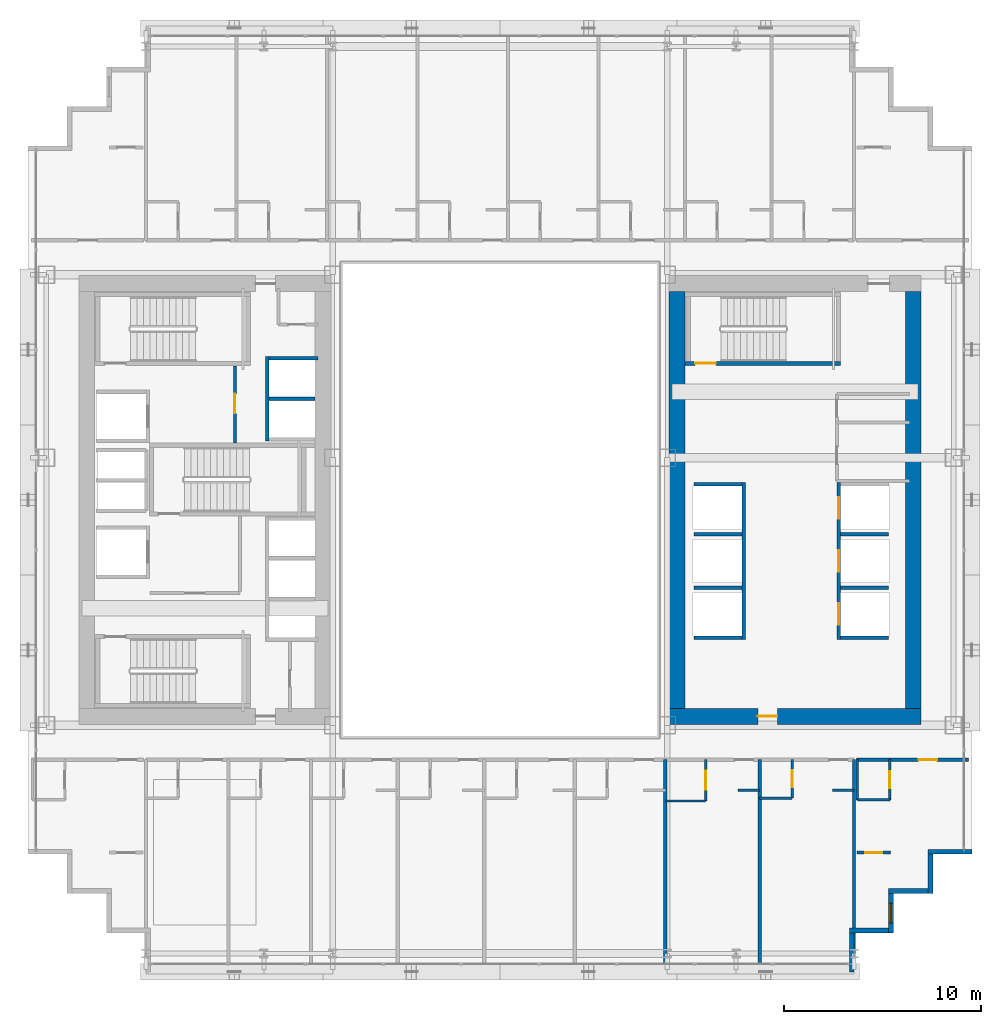
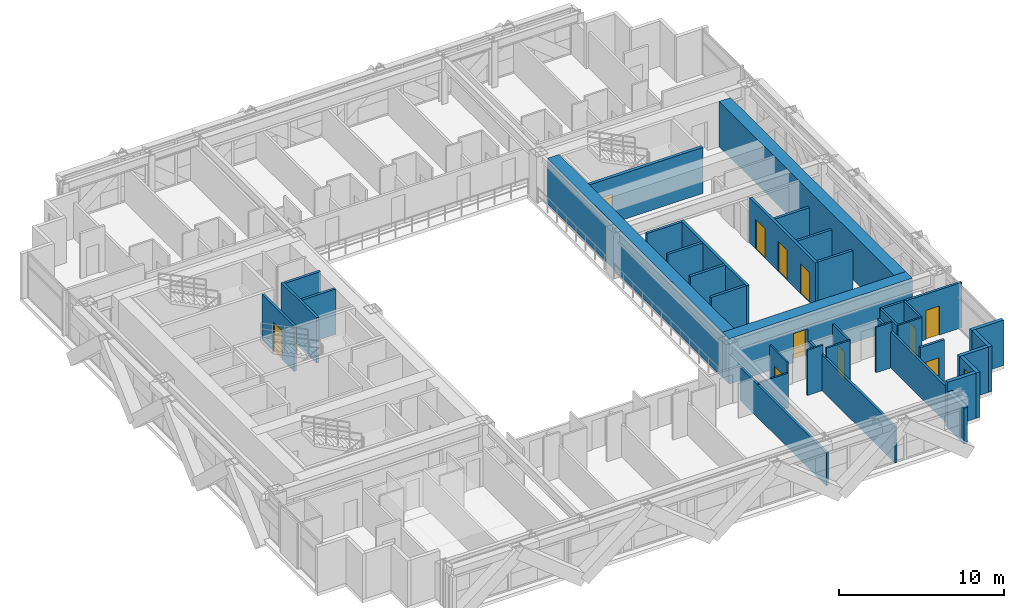
# One storey, part 29 of 36: 37 walls, 11 doors, 1 window, 12 openings.
"""IFC4 building model written with IfcOpenShell, lengths in metres."""

from ifc_helpers import new_model, si_unit, direction, frame, frame_2d, origin, place, context, subcontext, project, spatial, rectangle, extrude, source, transform, mapped, material, layer, layer_set, type_object, element, fill, save


model = new_model("IFC4")

# Units and contexts
model_context = context("Model", 3, precision=1e-05, world=origin(), true_north=direction((0.0, 1.0)))
body_context = subcontext(model_context, "Body", "Model", "MODEL_VIEW")
ifc_project = project(units=[si_unit("LENGTHUNIT", "METRE"), si_unit("AREAUNIT", "SQUARE_METRE"), si_unit("VOLUMEUNIT", "CUBIC_METRE"), si_unit("PLANEANGLEUNIT", "RADIAN"), si_unit("MASSUNIT", "GRAM", prefix="KILO")], contexts=[model_context])

# Site, building, storey
site_placement = place(None, origin())
site = spatial("IfcSite", under=ifc_project, at=site_placement, CompositionType="ELEMENT")
building_placement = place(site_placement, origin())
building = spatial("IfcBuilding", under=site, at=building_placement, Name="Ocotamira Hotel", CompositionType="ELEMENT")
storey_placement = place(building_placement, frame((0.0, 0.0, 42.0)))
storey = spatial("IfcBuildingStorey", under=building, at=storey_placement, Name="L09", CompositionType="ELEMENT", Elevation=42.0)

# Wall, opening, door
ifc_material_1 = material(Name="Concrete C60/75", Category="concrete")
ifc_layer_1 = layer(ifc_material_1, 0.800048828125)
ifc_layer_set_1 = layer_set([ifc_layer_1], Name="Concrete C60/75")
wall_type_1 = type_object("IfcWallType", Name="WL-CORE-800", PredefinedType="SHEAR", material=ifc_layer_set_1)
wall_1_placement = place(storey_placement, frame((40.60009765625, 15.0, 0.0), z_axis=(0.0, 0.0, 1.0), x_axis=(1.0, 0.0, 0.0)))
wall_1 = element("IfcWall", 1, at=wall_1_placement, inside=storey, type_object=wall_type_1, Name="L09 Shear Core Wall ECORE-S", PredefinedType="SHEAR", context=body_context, shape_type="SweptSolid", body=[
    extrude(rectangle(XDim=12.7998046875, YDim=0.800048828125, at=frame_2d((6.39990234375, 0.0))), origin(), (0.0, 0.0, 1.0), 3.35009765625),
])
opening_1_placement = place(wall_1_placement, frame((4.5, 0.0, 0.0)))
opening_1 = element("IfcOpeningElement", 2, at=opening_1_placement, cuts=wall_1, Name="Opening D-FR2", PredefinedType="OPENING", context=body_context, shape_type="SweptSolid", body=[
    extrude(rectangle(XDim=1.0, YDim=2.14990234375, at=frame_2d((0.5, 1.074951171875))), frame((0.0, 0.41015625, 0.0), z_axis=(0.0, -1.0, 0.0), x_axis=(1.0, 0.0, 0.0)), (0.0, 0.0, 1.0), 0.820068359375),
])
ifc_material_2 = material(Name="Fire-rated acoustic timber-veneer door", Category="wood")
door_type_1 = type_object("IfcDoorType", Name="DR-FIRE-1000", OperationType="NOTDEFINED", PredefinedType="DOOR", material=ifc_material_2)
shared_shape_1 = source(origin(), body_context, "Body", "SweptSolid", [
    extrude(rectangle(XDim=1.0, YDim=2.14990234375, at=frame_2d((0.5, 1.074951171875))), frame((0.0, 0.02490234375, 0.0), z_axis=(0.0, -1.0, 0.0), x_axis=(1.0, 0.0, 0.0)), (0.0, 0.0, 1.0), 0.050048828125),
])
door_1_placement = place(opening_1_placement, origin())
door_1 = element("IfcDoor", 3, at=door_1_placement, inside=storey, type_object=door_type_1, Name="L09 Door ID-L09-ELOB-S-D [ID-L09-ELOB-S-D]", OperationType="SINGLE_SWING_RIGHT", OverallHeight=2.14990234375, OverallWidth=1.0, PredefinedType="DOOR", context=body_context, shape_type="MappedRepresentation", body=[
    mapped(shared_shape_1, transform((0.0, 0.0, 0.0), scale=1.0)),
])
fill(opening_1, door_1)

# Walls
for number, where, z_axis, x_axis, name in (
    (4, (41.0, 15.39990234375, 0.0), (0.0, 0.0, 1.0), (0.0, 1.0, 0.0), "L09 Shear Core Wall ECORE-W"),
    (5, (53.0, 15.39990234375, 0.0), (0.0, 0.0, 1.0), (0.0, 1.0, 0.0), "L09 Shear Core Wall ECORE-E"),
):
    element("IfcWall", number, at=place(storey_placement, frame(where, z_axis=z_axis, x_axis=x_axis)), inside=storey, type_object=wall_type_1, Name=name, PredefinedType="SHEAR", context=body_context, shape_type="SweptSolid", body=[
        extrude(rectangle(XDim=21.2001953125, YDim=0.800048828125, at=frame_2d((10.60009765625, 0.0))), origin(), (0.0, 0.0, 1.0), 3.35009765625),
    ])
ifc_material_3 = material(Name="Precast concrete C45/55", Category="concrete")
ifc_layer_2 = layer(ifc_material_3, 0.25)
ifc_layer_set_2 = layer_set([ifc_layer_2], Name="Precast concrete C45/55")
wall_type_2 = type_object("IfcWallType", Name="WL-EXT-SER-250", PredefinedType="SOLIDWALL", material=ifc_layer_set_2)
wall_2_placement = place(storey_placement, frame((49.875, 2.0, 0.0), z_axis=(0.0, 0.0, 1.0), x_axis=(0.0, 1.0, 0.0)))
element("IfcWall", 6, at=wall_2_placement, inside=storey, type_object=wall_type_2, Name="L09 Serrated Corner Wall 01", PredefinedType="SOLIDWALL", context=body_context, shape_type="SweptSolid", body=[
    extrude(rectangle(XDim=2.0, YDim=0.25, at=frame_2d((1.0, 0.0))), origin(), (0.0, 0.0, 1.0), 2.656982421875),
])
wall_3_placement = place(storey_placement, frame((49.75, 4.125, 0.0), z_axis=(0.0, 0.0, 1.0), x_axis=(1.0, 0.0, 0.0)))
element("IfcWall", 7, at=wall_3_placement, inside=storey, type_object=wall_type_2, Name="L09 Serrated Corner Wall 02", PredefinedType="SOLIDWALL", context=body_context, shape_type="SweptSolid", body=[
    extrude(rectangle(XDim=2.0, YDim=0.25, at=frame_2d((1.0, 0.0))), origin(), (0.0, 0.0, 1.0), 3.35009765625),
])

# Wall, opening, window
wall_4_placement = place(storey_placement, frame((51.875, 4.0, 0.0), z_axis=(0.0, 0.0, 1.0), x_axis=(0.0, 1.0, 0.0)))
wall_4 = element("IfcWall", 8, at=wall_4_placement, inside=storey, type_object=wall_type_2, Name="L09 Serrated Corner Wall 03", PredefinedType="SOLIDWALL", context=body_context, shape_type="SweptSolid", body=[
    extrude(rectangle(XDim=2.0, YDim=0.25, at=frame_2d((1.0, 0.0))), origin(), (0.0, 0.0, 1.0), 3.35009765625),
])
opening_2_placement = place(wall_4_placement, frame((0.5, 0.0, 0.85009765625)))
opening_2 = element("IfcOpeningElement", 9, at=opening_2_placement, cuts=wall_4, Name="Opening WN-2", PredefinedType="OPENING", context=body_context, shape_type="SweptSolid", body=[
    extrude(rectangle(XDim=1.0, YDim=1.89990234375, at=frame_2d((0.5, 0.949951171875))), frame((0.0, 0.135009765625, 0.0), z_axis=(0.0, -1.0, 0.0), x_axis=(1.0, 0.0, 0.0)), (0.0, 0.0, 1.0), 0.27001953125),
])
ifc_material_4 = material(Name="Double-silver low-E solar glass", Category="glass")
window_type = type_object("IfcWindowType", Name="WIN-SER-1100", PartitioningType="SINGLE_PANEL", PredefinedType="WINDOW", material=ifc_material_4)
shared_shape_2 = source(origin(), body_context, "Body", "SweptSolid", [
    extrude(rectangle(XDim=1.0, YDim=1.89990234375, at=frame_2d((0.5, 0.949951171875))), frame((0.0, 0.030029296875, 0.0), z_axis=(0.0, -1.0, 0.0), x_axis=(1.0, 0.0, 0.0)), (0.0, 0.0, 1.0), 0.06005859375),
])
window_placement = place(opening_2_placement, origin())
window = element("IfcWindow", 10, at=window_placement, inside=storey, type_object=window_type, Name="L09 Serrated Corner Window 03", OverallHeight=1.89990234375, OverallWidth=1.0, PartitioningType="SINGLE_PANEL", PredefinedType="WINDOW", context=body_context, shape_type="MappedRepresentation", body=[
    mapped(shared_shape_2, transform((0.0, 0.0, 0.0), scale=1.0)),
])
fill(opening_2, window)

# Walls
for number, where, z_axis, x_axis, name in (
    (11, (51.75, 6.125, 0.0), (0.0, 0.0, 1.0), (1.0, 0.0, 0.0), "L09 Serrated Corner Wall 04"),
    (12, (53.875, 6.0, 0.0), (0.0, 0.0, 1.0), (0.0, 1.0, 0.0), "L09 Serrated Corner Wall 05"),
):
    element("IfcWall", number, at=place(storey_placement, frame(where, z_axis=z_axis, x_axis=x_axis)), inside=storey, type_object=wall_type_2, Name=name, PredefinedType="SOLIDWALL", context=body_context, shape_type="SweptSolid", body=[
        extrude(rectangle(XDim=2.0, YDim=0.25, at=frame_2d((1.0, 0.0))), origin(), (0.0, 0.0, 1.0), 3.35009765625),
    ])
wall_5_placement = place(storey_placement, frame((53.75, 8.125, 0.0), z_axis=(0.0, 0.0, 1.0), x_axis=(1.0, 0.0, 0.0)))
element("IfcWall", 13, at=wall_5_placement, inside=storey, type_object=wall_type_2, Name="L09 Serrated Corner Wall 06", PredefinedType="SOLIDWALL", context=body_context, shape_type="SweptSolid", body=[
    extrude(rectangle(XDim=2.25, YDim=0.25, at=frame_2d((1.125, 0.0))), origin(), (0.0, 0.0, 1.0), 3.35009765625),
])

# Wall, opening, door
ifc_material_5 = material(Name="Acoustic double-layer fire gypsum board partition", Category="gypsum")
ifc_layer_3 = layer(ifc_material_5, 0.159912109375)
ifc_layer_set_3 = layer_set([ifc_layer_3], Name="Acoustic double-layer fire gypsum board partition")
wall_type_3 = type_object("IfcWallType", Name="WL-FIRE-160", PredefinedType="PARTITIONING", material=ifc_layer_set_3)
wall_6_placement = place(storey_placement, frame((18.530029296875, 28.89990234375, 0.0), z_axis=(0.0, 0.0, 1.0), x_axis=(0.0, 1.0, 0.0)))
wall_6 = element("IfcWall", 14, at=wall_6_placement, inside=storey, type_object=wall_type_3, Name="L09 Interior Wall PW-L09-FSAE2-E", PredefinedType="PARTITIONING", context=body_context, shape_type="SweptSolid", body=[
    extrude(rectangle(XDim=3.900146484375, YDim=0.159912109375, at=frame_2d((1.9501953125, 0.0))), origin(), (0.0, 0.0, 1.0), 3.35009765625),
])
opening_3_placement = place(wall_6_placement, frame((1.5, 0.0, 0.0)))
opening_3 = element("IfcOpeningElement", 15, at=opening_3_placement, cuts=wall_6, Name="Opening D-FR2", PredefinedType="OPENING", context=body_context, shape_type="SweptSolid", body=[
    extrude(rectangle(XDim=1.0, YDim=2.14990234375, at=frame_2d((0.5, 1.074951171875))), frame((0.0, 0.08984375, 0.0), z_axis=(0.0, -1.0, 0.0), x_axis=(1.0, 0.0, 0.0)), (0.0, 0.0, 1.0), 0.179931640625),
])
door_2_placement = place(opening_3_placement, origin())
door_2 = element("IfcDoor", 16, at=door_2_placement, inside=storey, type_object=door_type_1, Name="L09 Door ID-L09-FSAE2-D [ID-L09-FSAE2-D]", OperationType="SINGLE_SWING_RIGHT", OverallHeight=2.14990234375, OverallWidth=1.0, PredefinedType="DOOR", context=body_context, shape_type="MappedRepresentation", body=[
    mapped(shared_shape_1, transform((0.0, 0.0, 0.0), scale=1.0)),
])
fill(opening_3, door_2)

wall_7_placement = place(storey_placement, frame((50.1201171875, 12.800048828125, 0.0), z_axis=(0.0, 0.0, 1.0), x_axis=(1.0, 0.0, 0.0)))
wall_7 = element("IfcWall", 17, at=wall_7_placement, inside=storey, type_object=wall_type_3, Name="L09 Interior Wall PW-L09-Z1A-CSE-CW", PredefinedType="PARTITIONING", context=body_context, shape_type="SweptSolid", body=[
    extrude(rectangle(XDim=5.679931640625, YDim=0.159912109375, at=frame_2d((2.83984375, 0.0))), origin(), (0.0, 0.0, 1.0), 3.35009765625),
])
opening_4_placement = place(wall_7_placement, frame((3.14990234375, 0.0, 0.0)))
opening_4 = element("IfcOpeningElement", 18, at=opening_4_placement, cuts=wall_7, Name="Opening D-GR1", PredefinedType="OPENING", context=body_context, shape_type="SweptSolid", body=[
    extrude(rectangle(XDim=0.93994140625, YDim=2.14990234375, at=frame_2d((0.469970703125, 1.074951171875))), frame((0.0, 0.08984375, 0.0), z_axis=(0.0, -1.0, 0.0), x_axis=(1.0, 0.0, 0.0)), (0.0, 0.0, 1.0), 0.179931640625),
])
ifc_material_6 = material(Name="Solid-core walnut suite entrance fire door", Category="wood")
door_type_2 = type_object("IfcDoorType", Name="DR-GUEST-940", OperationType="NOTDEFINED", PredefinedType="DOOR", material=ifc_material_6)
shared_shape_3 = source(origin(), body_context, "Body", "SweptSolid", [
    extrude(rectangle(XDim=0.93994140625, YDim=2.14990234375, at=frame_2d((0.469970703125, 1.074951171875))), frame((0.0, 0.02490234375, 0.0), z_axis=(0.0, -1.0, 0.0), x_axis=(1.0, 0.0, 0.0)), (0.0, 0.0, 1.0), 0.050048828125),
])
door_3_placement = place(opening_4_placement, origin())
door_3 = element("IfcDoor", 19, at=door_3_placement, inside=storey, type_object=door_type_2, Name="L09 Door ID-L09-Z1A-CSE-CD [ID-L09-Z1A-CSE-CD]", OperationType="SINGLE_SWING_RIGHT", OverallHeight=2.14990234375, OverallWidth=0.93994140625, PredefinedType="DOOR", context=body_context, shape_type="MappedRepresentation", body=[
    mapped(shared_shape_3, transform((0.0, 0.0, 0.0), scale=1.0)),
])
fill(opening_4, door_3)

wall_8_placement = place(storey_placement, frame((50.14990234375, 8.080078125, 0.0), z_axis=(0.0, 0.0, 1.0), x_axis=(1.0, 0.0, 0.0)))
wall_8 = element("IfcWall", 20, at=wall_8_placement, inside=storey, type_object=wall_type_3, Name="L09 Interior Wall PW-L09-Z1A-CSE2-CW", PredefinedType="PARTITIONING", context=body_context, shape_type="SweptSolid", body=[
    extrude(rectangle(XDim=1.7001953125, YDim=0.159912109375, at=frame_2d((0.85009765625, 0.0))), origin(), (0.0, 0.0, 1.0), 3.35009765625),
])
opening_5_placement = place(wall_8_placement, frame((0.409912109375, 0.0, 0.0)))
opening_5 = element("IfcOpeningElement", 21, at=opening_5_placement, cuts=wall_8, Name="Opening D-SV2", PredefinedType="OPENING", context=body_context, shape_type="SweptSolid", body=[
    extrude(rectangle(XDim=0.8798828125, YDim=2.14990234375, at=frame_2d((0.43994140625, 1.074951171875))), frame((0.0, 0.08984375, 0.0), z_axis=(0.0, -1.0, 0.0), x_axis=(1.0, 0.0, 0.0)), (0.0, 0.0, 1.0), 0.179931640625),
])
ifc_material_7 = material(Name="Fire-rated painted steel service door", Category="steel")
door_type_3 = type_object("IfcDoorType", Name="DR-SERV-880", OperationType="NOTDEFINED", PredefinedType="DOOR", material=ifc_material_7)
shared_shape_4 = source(origin(), body_context, "Body", "SweptSolid", [
    extrude(rectangle(XDim=0.8798828125, YDim=2.14990234375, at=frame_2d((0.43994140625, 1.074951171875))), frame((0.0, 0.02490234375, 0.0), z_axis=(0.0, -1.0, 0.0), x_axis=(1.0, 0.0, 0.0)), (0.0, 0.0, 1.0), 0.050048828125),
])
door_4_placement = place(opening_5_placement, origin())
door_4 = element("IfcDoor", 22, at=door_4_placement, inside=storey, type_object=door_type_3, Name="L09 Door ID-L09-Z1A-CSE2-CD [ID-L09-Z1A-CSE2-CD]", OperationType="SINGLE_SWING_LEFT", OverallHeight=2.14990234375, OverallWidth=0.8798828125, PredefinedType="DOOR", context=body_context, shape_type="MappedRepresentation", body=[
    mapped(shared_shape_4, transform((0.0, 0.0, 0.0), scale=1.0)),
])
fill(opening_5, door_4)

ifc_material_8 = material(Name="Moisture-resistant en-suite tile and gypsum partition", Category="gypsum")
ifc_layer_4 = layer(ifc_material_8, 0.1201171875)
ifc_layer_set_4 = layer_set([ifc_layer_4], Name="Moisture-resistant en-suite tile and gypsum partition")
wall_type_4 = type_object("IfcWallType", Name="WL-PART-120", PredefinedType="PARTITIONING", material=ifc_layer_set_4)
wall_9_placement = place(storey_placement, frame((51.81005859375, 10.760009765625, 0.0), z_axis=(0.0, 0.0, 1.0), x_axis=(0.0, 1.0, 0.0)))
wall_9 = element("IfcWall", 23, at=wall_9_placement, inside=storey, type_object=wall_type_4, Name="L09 Interior Wall PW-L09-Z1A-CSE-BE", PredefinedType="PARTITIONING", context=body_context, shape_type="SweptSolid", body=[
    extrude(rectangle(XDim=2.0400390625, YDim=0.1201171875, at=frame_2d((1.02001953125, 0.0))), origin(), (0.0, 0.0, 1.0), 3.35009765625),
])
opening_6_placement = place(wall_9_placement, frame((0.590087890625, 0.0, 0.0)))
opening_6 = element("IfcOpeningElement", 24, at=opening_6_placement, cuts=wall_9, Name="Opening D-BA1", PredefinedType="OPENING", context=body_context, shape_type="SweptSolid", body=[
    extrude(rectangle(XDim=0.860107421875, YDim=2.10009765625, at=frame_2d((0.43017578125, 1.050048828125))), frame((0.0, 0.070068359375, 0.0), z_axis=(0.0, -1.0, 0.0), x_axis=(1.0, 0.0, 0.0)), (0.0, 0.0, 1.0), 0.14013671875),
])
ifc_material_9 = material(Name="Moisture-sealed en-suite timber door", Category="wood")
door_type_4 = type_object("IfcDoorType", Name="DR-BATH-860", OperationType="NOTDEFINED", PredefinedType="DOOR", material=ifc_material_9)
shared_shape_5 = source(origin(), body_context, "Body", "SweptSolid", [
    extrude(rectangle(XDim=0.860107421875, YDim=2.10009765625, at=frame_2d((0.43017578125, 1.050048828125))), frame((0.0, 0.02490234375, 0.0), z_axis=(0.0, -1.0, 0.0), x_axis=(1.0, 0.0, 0.0)), (0.0, 0.0, 1.0), 0.050048828125),
])
door_5_placement = place(opening_6_placement, origin())
door_5 = element("IfcDoor", 25, at=door_5_placement, inside=storey, type_object=door_type_4, Name="L09 Door ID-L09-Z1A-CSE-BD [ID-L09-Z1A-CSE-BD]", OperationType="SINGLE_SWING_LEFT", OverallHeight=2.10009765625, OverallWidth=0.860107421875, PredefinedType="DOOR", context=body_context, shape_type="MappedRepresentation", body=[
    mapped(shared_shape_5, transform((0.0, 0.0, 0.0), scale=1.0)),
])
fill(opening_6, door_5)

# Walls
wall_10_placement = place(storey_placement, frame((50.159912109375, 10.760009765625, 0.0), z_axis=(0.0, 0.0, 1.0), x_axis=(0.0, 1.0, 0.0)))
element("IfcWall", 26, at=wall_10_placement, inside=storey, type_object=wall_type_4, Name="L09 Interior Wall PW-L09-Z1A-CSE-BW", PredefinedType="PARTITIONING", context=body_context, shape_type="SweptSolid", body=[
    extrude(rectangle(XDim=2.0400390625, YDim=0.1201171875, at=frame_2d((1.02001953125, 0.0))), origin(), (0.0, 0.0, 1.0), 3.35009765625),
])
wall_11_placement = place(storey_placement, frame((50.159912109375, 10.760009765625, 0.0), z_axis=(0.0, 0.0, 1.0), x_axis=(1.0, 0.0, 0.0)))
element("IfcWall", 27, at=wall_11_placement, inside=storey, type_object=wall_type_4, Name="L09 Interior Wall PW-L09-Z1A-CSE-BH", PredefinedType="PARTITIONING", context=body_context, shape_type="SweptSolid", body=[
    extrude(rectangle(XDim=1.650146484375, YDim=0.1201171875, at=frame_2d((0.8251953125, 0.0))), origin(), (0.0, 0.0, 1.0), 3.35009765625),
])

# Wall, opening, door
wall_12_placement = place(storey_placement, frame((42.449951171875, 10.699951171875, 0.0), z_axis=(0.0, 0.0, 1.0), x_axis=(0.0, 1.0, 0.0)))
wall_12 = element("IfcWall", 28, at=wall_12_placement, inside=storey, type_object=wall_type_4, Name="L09 Interior Wall PW-L09-Z1AS-BAE7", PredefinedType="PARTITIONING", context=body_context, shape_type="SweptSolid", body=[
    extrude(rectangle(XDim=2.10009765625, YDim=0.1201171875, at=frame_2d((1.050048828125, 0.0))), origin(), (0.0, 0.0, 1.0), 3.35009765625),
])
opening_7_placement = place(wall_12_placement, frame((0.570068359375, 0.0, 0.0)))
opening_7 = element("IfcOpeningElement", 29, at=opening_7_placement, cuts=wall_12, Name="Opening D-IN1", PredefinedType="OPENING", context=body_context, shape_type="SweptSolid", body=[
    extrude(rectangle(XDim=0.9599609375, YDim=2.14990234375, at=frame_2d((0.47998046875, 1.074951171875))), frame((0.0, 0.070068359375, 0.0), z_axis=(0.0, -1.0, 0.0), x_axis=(1.0, 0.0, 0.0)), (0.0, 0.0, 1.0), 0.14013671875),
])
ifc_material_10 = material(Name="Accessible walnut interior room door", Category="wood")
door_type_5 = type_object("IfcDoorType", Name="DR-INT-960", OperationType="NOTDEFINED", PredefinedType="DOOR", material=ifc_material_10)
shared_shape_6 = source(origin(), body_context, "Body", "SweptSolid", [
    extrude(rectangle(XDim=0.9599609375, YDim=2.14990234375, at=frame_2d((0.47998046875, 1.074951171875))), frame((0.0, 0.02490234375, 0.0), z_axis=(0.0, -1.0, 0.0), x_axis=(1.0, 0.0, 0.0)), (0.0, 0.0, 1.0), 0.050048828125),
])
door_6_placement = place(opening_7_placement, origin())
door_6 = element("IfcDoor", 30, at=door_6_placement, inside=storey, type_object=door_type_5, Name="L09 Door ID-L09-Z1AS-BAD7 [ID-L09-Z1AS-BAD7]", OperationType="SINGLE_SWING_RIGHT", OverallHeight=2.14990234375, OverallWidth=0.9599609375, PredefinedType="DOOR", context=body_context, shape_type="MappedRepresentation", body=[
    mapped(shared_shape_6, transform((0.0, 0.0, 0.0), scale=1.0)),
])
fill(opening_7, door_6)

# Walls
wall_13_placement = place(storey_placement, frame((40.39990234375, 10.699951171875, 0.0), z_axis=(0.0, 0.0, 1.0), x_axis=(1.0, 0.0, 0.0)))
element("IfcWall", 31, at=wall_13_placement, inside=storey, type_object=wall_type_4, Name="L09 Interior Wall PW-L09-Z1AS-BAS7", PredefinedType="PARTITIONING", context=body_context, shape_type="SweptSolid", body=[
    extrude(rectangle(XDim=2.050048828125, YDim=0.1201171875, at=frame_2d((1.02490234375, 0.0))), origin(), (0.0, 0.0, 1.0), 2.571044921875),
])
wall_14_placement = place(storey_placement, frame((44.10009765625, 11.25, 0.0), z_axis=(0.0, 0.0, 1.0), x_axis=(1.0, 0.0, 0.0)))
element("IfcWall", 32, at=wall_14_placement, inside=storey, type_object=wall_type_4, Name="L09 Interior Wall PW-L09-Z1AS-DRN7", PredefinedType="PARTITIONING", context=body_context, shape_type="SweptSolid", body=[
    extrude(rectangle(XDim=1.099853515625, YDim=0.1201171875, at=frame_2d((0.5498046875, 0.0))), origin(), (0.0, 0.0, 1.0), 3.35009765625),
])

# Wall, opening, door
wall_15_placement = place(storey_placement, frame((46.85009765625, 10.85009765625, 0.0), z_axis=(0.0, 0.0, 1.0), x_axis=(0.0, 1.0, 0.0)))
wall_15 = element("IfcWall", 33, at=wall_15_placement, inside=storey, type_object=wall_type_4, Name="L09 Interior Wall PW-L09-Z1AS-BAE8", PredefinedType="PARTITIONING", context=body_context, shape_type="SweptSolid", body=[
    extrude(rectangle(XDim=1.949951171875, YDim=0.1201171875, at=frame_2d((0.97509765625, 0.0))), origin(), (0.0, 0.0, 1.0), 3.35009765625),
])
opening_8_placement = place(wall_15_placement, frame((0.544921875, 0.0, 0.0)))
opening_8 = element("IfcOpeningElement", 34, at=opening_8_placement, cuts=wall_15, Name="Opening D-BA1", PredefinedType="OPENING", context=body_context, shape_type="SweptSolid", body=[
    extrude(rectangle(XDim=0.860107421875, YDim=2.10009765625, at=frame_2d((0.43017578125, 1.050048828125))), frame((0.0, 0.070068359375, 0.0), z_axis=(0.0, -1.0, 0.0), x_axis=(1.0, 0.0, 0.0)), (0.0, 0.0, 1.0), 0.14013671875),
])
door_7_placement = place(opening_8_placement, origin())
door_7 = element("IfcDoor", 35, at=door_7_placement, inside=storey, type_object=door_type_4, Name="L09 Door ID-L09-Z1AS-BAD8 [ID-L09-Z1AS-BAD8]", OperationType="SINGLE_SWING_LEFT", OverallHeight=2.10009765625, OverallWidth=0.860107421875, PredefinedType="DOOR", context=body_context, shape_type="MappedRepresentation", body=[
    mapped(shared_shape_5, transform((0.0, 0.0, 0.0), scale=1.0)),
])
fill(opening_8, door_7)

# Walls
wall_16_placement = place(storey_placement, frame((45.199951171875, 10.85009765625, 0.0), z_axis=(0.0, 0.0, 1.0), x_axis=(1.0, 0.0, 0.0)))
element("IfcWall", 36, at=wall_16_placement, inside=storey, type_object=wall_type_4, Name="L09 Interior Wall PW-L09-Z1AS-BAS8", PredefinedType="PARTITIONING", context=body_context, shape_type="SweptSolid", body=[
    extrude(rectangle(XDim=1.650146484375, YDim=0.1201171875, at=frame_2d((0.8251953125, 0.0))), origin(), (0.0, 0.0, 1.0), 3.35009765625),
])
wall_17_placement = place(storey_placement, frame((48.89990234375, 11.25, 0.0), z_axis=(0.0, 0.0, 1.0), x_axis=(1.0, 0.0, 0.0)))
element("IfcWall", 37, at=wall_17_placement, inside=storey, type_object=wall_type_4, Name="L09 Interior Wall PW-L09-Z1AS-DRN8", PredefinedType="PARTITIONING", context=body_context, shape_type="SweptSolid", body=[
    extrude(rectangle(XDim=1.10009765625, YDim=0.1201171875, at=frame_2d((0.550048828125, 0.0))), origin(), (0.0, 0.0, 1.0), 3.35009765625),
])
ifc_material_11 = material(Name="Acoustic double-stud hospitality gypsum partition", Category="gypsum")
ifc_layer_5 = layer(ifc_material_11, 0.159912109375)
ifc_layer_set_5 = layer_set([ifc_layer_5], Name="Acoustic double-stud hospitality gypsum partition")
wall_type_5 = type_object("IfcWallType", Name="WL-PART-160", PredefinedType="PARTITIONING", material=ifc_layer_set_5)
wall_18_placement = place(storey_placement, frame((50.0, 2.360107421875, 0.0), z_axis=(0.0, 0.0, 1.0), x_axis=(0.0, 1.0, 0.0)))
element("IfcWall", 38, at=wall_18_placement, inside=storey, type_object=wall_type_5, Name="L09 Interior Wall PW-L09-Z1AS-PWEND", PredefinedType="PARTITIONING", context=body_context, shape_type="SweptSolid", body=[
    extrude(rectangle(XDim=10.43994140625, YDim=0.159912109375, at=frame_2d((5.219970703125, 0.0))), origin(), (0.0, 0.0, 1.0), 2.656982421875),
])
wall_19_placement = place(storey_placement, frame((40.39990234375, 2.360107421875, 0.0), z_axis=(0.0, 0.0, 1.0), x_axis=(0.0, 1.0, 0.0)))
element("IfcWall", 39, at=wall_19_placement, inside=storey, type_object=wall_type_5, Name="L09 Interior Wall PW-L09-Z1AS-PW6", PredefinedType="PARTITIONING", context=body_context, shape_type="SweptSolid", body=[
    extrude(rectangle(XDim=10.43994140625, YDim=0.159912109375, at=frame_2d((5.219970703125, 0.0))), origin(), (0.0, 0.0, 1.0), 2.423095703125),
])
wall_20_placement = place(storey_placement, frame((45.199951171875, 2.360107421875, 0.0), z_axis=(0.0, 0.0, 1.0), x_axis=(0.0, 1.0, 0.0)))
element("IfcWall", 40, at=wall_20_placement, inside=storey, type_object=wall_type_5, Name="L09 Interior Wall PW-L09-Z1AS-PW7", PredefinedType="PARTITIONING", context=body_context, shape_type="SweptSolid", body=[
    extrude(rectangle(XDim=10.43994140625, YDim=0.159912109375, at=frame_2d((5.219970703125, 0.0))), origin(), (0.0, 0.0, 1.0), 2.656982421875),
])

# Wall, openings, doors
ifc_material_12 = material(Name="Fire-rated gypsum shaftliner board assembly", Category="gypsum")
ifc_layer_6 = layer(ifc_material_12, 0.179931640625)
ifc_layer_set_6 = layer_set([ifc_layer_6], Name="Fire-rated gypsum shaftliner board assembly")
wall_type_6 = type_object("IfcWallType", Name="WL-SHAFT-180", PredefinedType="SOLIDWALL", material=ifc_layer_set_6)
wall_21_placement = place(storey_placement, frame((49.2099609375, 18.919921875, 0.0), z_axis=(0.0, 0.0, 1.0), x_axis=(0.0, 1.0, 0.0)))
wall_21 = element("IfcWall", 41, at=wall_21_placement, inside=storey, type_object=wall_type_6, Name="L09 Interior Wall PW-L09-LFW-BANK-low-F", PredefinedType="SOLIDWALL", context=body_context, shape_type="SweptSolid", body=[
    extrude(rectangle(XDim=7.9599609375, YDim=0.179931640625, at=frame_2d((3.97998046875, 0.0))), origin(), (0.0, 0.0, 1.0), 3.35009765625),
])
opening_9_placement = place(wall_21_placement, frame((0.72998046875, 0.0, 0.0)))
opening_9 = element("IfcOpeningElement", 42, at=opening_9_placement, cuts=wall_21, Name="Opening LD-LF-P1", PredefinedType="OPENING", context=body_context, shape_type="SweptSolid", body=[
    extrude(rectangle(XDim=1.10009765625, YDim=2.199951171875, at=frame_2d((0.550048828125, 1.10009765625))), frame((0.0, 0.10009765625, 0.0), z_axis=(0.0, -1.0, 0.0), x_axis=(1.0, 0.0, 0.0)), (0.0, 0.0, 1.0), 0.199951171875),
])
opening_10_placement = place(wall_21_placement, frame((3.429931640625, 0.0, 0.0)))
opening_10 = element("IfcOpeningElement", 43, at=opening_10_placement, cuts=wall_21, Name="Opening LD-LF-P2", PredefinedType="OPENING", context=body_context, shape_type="SweptSolid", body=[
    extrude(rectangle(XDim=1.10009765625, YDim=2.199951171875, at=frame_2d((0.550048828125, 1.10009765625))), frame((0.0, 0.10009765625, 0.0), z_axis=(0.0, -1.0, 0.0), x_axis=(1.0, 0.0, 0.0)), (0.0, 0.0, 1.0), 0.199951171875),
])
opening_11_placement = place(wall_21_placement, frame((6.1298828125, 0.0, 0.0)))
opening_11 = element("IfcOpeningElement", 44, at=opening_11_placement, cuts=wall_21, Name="Opening LD-LF-P3", PredefinedType="OPENING", context=body_context, shape_type="SweptSolid", body=[
    extrude(rectangle(XDim=1.10009765625, YDim=2.199951171875, at=frame_2d((0.550048828125, 1.10009765625))), frame((0.0, 0.10009765625, 0.0), z_axis=(0.0, -1.0, 0.0), x_axis=(1.0, 0.0, 0.0)), (0.0, 0.0, 1.0), 0.199951171875),
])
ifc_material_13 = material(Name="Brushed pale-metal stainless elevator landing door", Category="steel")
door_type_6 = type_object("IfcDoorType", Name="DR-LIFT-1100", OperationType="NOTDEFINED", PredefinedType="DOOR", material=ifc_material_13)
shared_shape_7 = source(origin(), body_context, "Body", "SweptSolid", [
    extrude(rectangle(XDim=1.10009765625, YDim=2.199951171875, at=frame_2d((0.550048828125, 1.10009765625))), frame((0.0, 0.02490234375, 0.0), z_axis=(0.0, -1.0, 0.0), x_axis=(1.0, 0.0, 0.0)), (0.0, 0.0, 1.0), 0.050048828125),
])
door_8_placement = place(opening_9_placement, origin())
door_8 = element("IfcDoor", 45, at=door_8_placement, inside=storey, type_object=door_type_6, Name="L09 Landing Door LD-LF-P1 [ID-L09-LD-LF-P1]", OperationType="DOUBLE_DOOR_SLIDING", OverallHeight=2.199951171875, OverallWidth=1.10009765625, PredefinedType="DOOR", context=body_context, shape_type="MappedRepresentation", body=[
    mapped(shared_shape_7, transform((0.0, 0.0, 0.0), scale=1.0)),
])
fill(opening_9, door_8)
door_9_placement = place(opening_10_placement, origin())
door_9 = element("IfcDoor", 46, at=door_9_placement, inside=storey, type_object=door_type_6, Name="L09 Landing Door LD-LF-P2 [ID-L09-LD-LF-P2]", OperationType="DOUBLE_DOOR_SLIDING", OverallHeight=2.199951171875, OverallWidth=1.10009765625, PredefinedType="DOOR", context=body_context, shape_type="MappedRepresentation", body=[
    mapped(shared_shape_7, transform((0.0, 0.0, 0.0), scale=1.0)),
])
fill(opening_10, door_9)
door_10_placement = place(opening_11_placement, origin())
door_10 = element("IfcDoor", 47, at=door_10_placement, inside=storey, type_object=door_type_6, Name="L09 Landing Door LD-LF-P3 [ID-L09-LD-LF-P3]", OperationType="DOUBLE_DOOR_SLIDING", OverallHeight=2.199951171875, OverallWidth=1.10009765625, PredefinedType="DOOR", context=body_context, shape_type="MappedRepresentation", body=[
    mapped(shared_shape_7, transform((0.0, 0.0, 0.0), scale=1.0)),
])
fill(opening_11, door_10)

# Walls
for number, where, z_axis, x_axis, name in (
    (48, (49.300048828125, 19.010009765625, 0.0), (0.0, 0.0, 1.0), (1.0, 0.0, 0.0), "L09 Interior Wall PW-L09-LFW-BANK-low-S"),
    (49, (49.300048828125, 21.550048828125, 0.0), (0.0, 0.0, 1.0), (1.0, 0.0, 0.0), "L09 Interior Wall PW-L09-LFW-DIV-LF-P1"),
    (50, (49.300048828125, 24.25, 0.0), (0.0, 0.0, 1.0), (1.0, 0.0, 0.0), "L09 Interior Wall PW-L09-LFW-DIV-LF-P2"),
):
    element("IfcWall", number, at=place(storey_placement, frame(where, z_axis=z_axis, x_axis=x_axis)), inside=storey, type_object=wall_type_6, Name=name, PredefinedType="SOLIDWALL", context=body_context, shape_type="SweptSolid", body=[
        extrude(rectangle(XDim=2.449951171875, YDim=0.179931640625, at=frame_2d((1.22509765625, 0.0))), origin(), (0.0, 0.0, 1.0), 3.35009765625),
    ])
wall_22_placement = place(storey_placement, frame((44.389892578125, 18.919921875, 0.0), z_axis=(0.0, 0.0, 1.0), x_axis=(0.0, 1.0, 0.0)))
element("IfcWall", 51, at=wall_22_placement, inside=storey, type_object=wall_type_6, Name="L09 Interior Wall PW-L09-LFW-BANK-mid-F", PredefinedType="SOLIDWALL", context=body_context, shape_type="SweptSolid", body=[
    extrude(rectangle(XDim=7.9599609375, YDim=0.179931640625, at=frame_2d((3.97998046875, 0.0))), origin(), (0.0, 0.0, 1.0), 3.35009765625),
])
for number, where, z_axis, x_axis, name in (
    (52, (41.85009765625, 19.010009765625, 0.0), (0.0, 0.0, 1.0), (1.0, 0.0, 0.0), "L09 Interior Wall PW-L09-LFW-BANK-mid-S"),
    (53, (41.85009765625, 26.7900390625, 0.0), (0.0, 0.0, 1.0), (1.0, 0.0, 0.0), "L09 Interior Wall PW-L09-LFW-BANK-mid-N"),
    (54, (41.85009765625, 21.550048828125, 0.0), (0.0, 0.0, 1.0), (1.0, 0.0, 0.0), "L09 Interior Wall PW-L09-LFW-DIV-LF-P4"),
    (55, (41.85009765625, 24.25, 0.0), (0.0, 0.0, 1.0), (1.0, 0.0, 0.0), "L09 Interior Wall PW-L09-LFW-DIV-LF-P5"),
):
    element("IfcWall", number, at=place(storey_placement, frame(where, z_axis=z_axis, x_axis=x_axis)), inside=storey, type_object=wall_type_6, Name=name, PredefinedType="SOLIDWALL", context=body_context, shape_type="SweptSolid", body=[
        extrude(rectangle(XDim=2.449951171875, YDim=0.179931640625, at=frame_2d((1.22509765625, 0.0))), origin(), (0.0, 0.0, 1.0), 3.35009765625),
    ])
wall_23_placement = place(storey_placement, frame((20.159912109375, 29.0, 0.0), z_axis=(0.0, 0.0, 1.0), x_axis=(0.0, 1.0, 0.0)))
element("IfcWall", 56, at=wall_23_placement, inside=storey, type_object=wall_type_6, Name="L09 Interior Wall PW-L09-LFW-BANK-obs-F", PredefinedType="SOLIDWALL", context=body_context, shape_type="SweptSolid", body=[
    extrude(rectangle(XDim=4.2900390625, YDim=0.179931640625, at=frame_2d((2.14501953125, 0.0))), origin(), (0.0, 0.0, 1.0), 3.35009765625),
])
wall_24_placement = place(storey_placement, frame((20.25, 33.199951171875, 0.0), z_axis=(0.0, 0.0, 1.0), x_axis=(1.0, 0.0, 0.0)))
element("IfcWall", 57, at=wall_24_placement, inside=storey, type_object=wall_type_6, Name="L09 Interior Wall PW-L09-LFW-BANK-obs-N", PredefinedType="SOLIDWALL", context=body_context, shape_type="SweptSolid", body=[
    extrude(rectangle(XDim=2.5, YDim=0.179931640625, at=frame_2d((1.25, 0.0))), origin(), (0.0, 0.0, 1.0), 3.35009765625),
])
wall_25_placement = place(storey_placement, frame((20.25, 31.14501953125, 0.0), z_axis=(0.0, 0.0, 1.0), x_axis=(1.0, 0.0, 0.0)))
element("IfcWall", 58, at=wall_25_placement, inside=storey, type_object=wall_type_6, Name="L09 Interior Wall PW-L09-LFW-DIV-LF-OBS1", PredefinedType="SOLIDWALL", context=body_context, shape_type="SweptSolid", body=[
    extrude(rectangle(XDim=2.360107421875, YDim=0.179931640625, at=frame_2d((1.18017578125, 0.0))), origin(), (0.0, 0.0, 1.0), 3.35009765625),
])

# Wall, opening, door
ifc_material_14 = material(Name="Concrete C50/60", Category="concrete")
ifc_layer_7 = layer(ifc_material_14, 0.219970703125)
ifc_layer_set_7 = layer_set([ifc_layer_7], Name="Concrete C50/60")
wall_type_7 = type_object("IfcWallType", Name="WL-STAIR-220", PredefinedType="SHEAR", material=ifc_layer_set_7)
wall_26_placement = place(storey_placement, frame((41.39990234375, 32.93994140625, 0.0), z_axis=(0.0, 0.0, 1.0), x_axis=(1.0, 0.0, 0.0)))
wall_26 = element("IfcWall", 59, at=wall_26_placement, inside=storey, type_object=wall_type_7, Name="L09 Stair Shaft Structural Wall ST-4-S", PredefinedType="SHEAR", context=body_context, shape_type="SweptSolid", body=[
    extrude(rectangle(XDim=7.91015625, YDim=0.219970703125, at=frame_2d((3.955078125, 0.0))), origin(), (0.0, 0.0, 1.0), 3.39990234375),
])
opening_12_placement = place(wall_26_placement, frame((0.52001953125, 0.0, 0.0)))
opening_12 = element("IfcOpeningElement", 60, at=opening_12_placement, cuts=wall_26, Name="Opening D-ST2", PredefinedType="OPENING", context=body_context, shape_type="SweptSolid", body=[
    extrude(rectangle(XDim=1.050048828125, YDim=2.14990234375, at=frame_2d((0.52490234375, 1.074951171875))), frame((0.0, 0.1201171875, 0.0), z_axis=(0.0, -1.0, 0.0), x_axis=(1.0, 0.0, 0.0)), (0.0, 0.0, 1.0), 0.239990234375),
])
ifc_material_15 = material(Name="Insulated painted hollow-metal fire exit door", Category="steel")
door_type_7 = type_object("IfcDoorType", Name="DR-STAIR-1050", OperationType="NOTDEFINED", PredefinedType="DOOR", material=ifc_material_15)
shared_shape_8 = source(origin(), body_context, "Body", "SweptSolid", [
    extrude(rectangle(XDim=1.050048828125, YDim=2.14990234375, at=frame_2d((0.52490234375, 1.074951171875))), frame((0.0, 0.02490234375, 0.0), z_axis=(0.0, -1.0, 0.0), x_axis=(1.0, 0.0, 0.0)), (0.0, 0.0, 1.0), 0.050048828125),
])
door_11_placement = place(opening_12_placement, origin())
door_11 = element("IfcDoor", 61, at=door_11_placement, inside=storey, type_object=door_type_7, Name="L09 Door ID-L09-STD-ST-4 [ID-L09-STD-ST-4]", OperationType="SINGLE_SWING_LEFT", OverallHeight=2.14990234375, OverallWidth=1.050048828125, PredefinedType="DOOR", context=body_context, shape_type="MappedRepresentation", body=[
    mapped(shared_shape_8, transform((0.0, 0.0, 0.0), scale=1.0)),
])
fill(opening_12, door_11)

save(model, "model.ifc")
